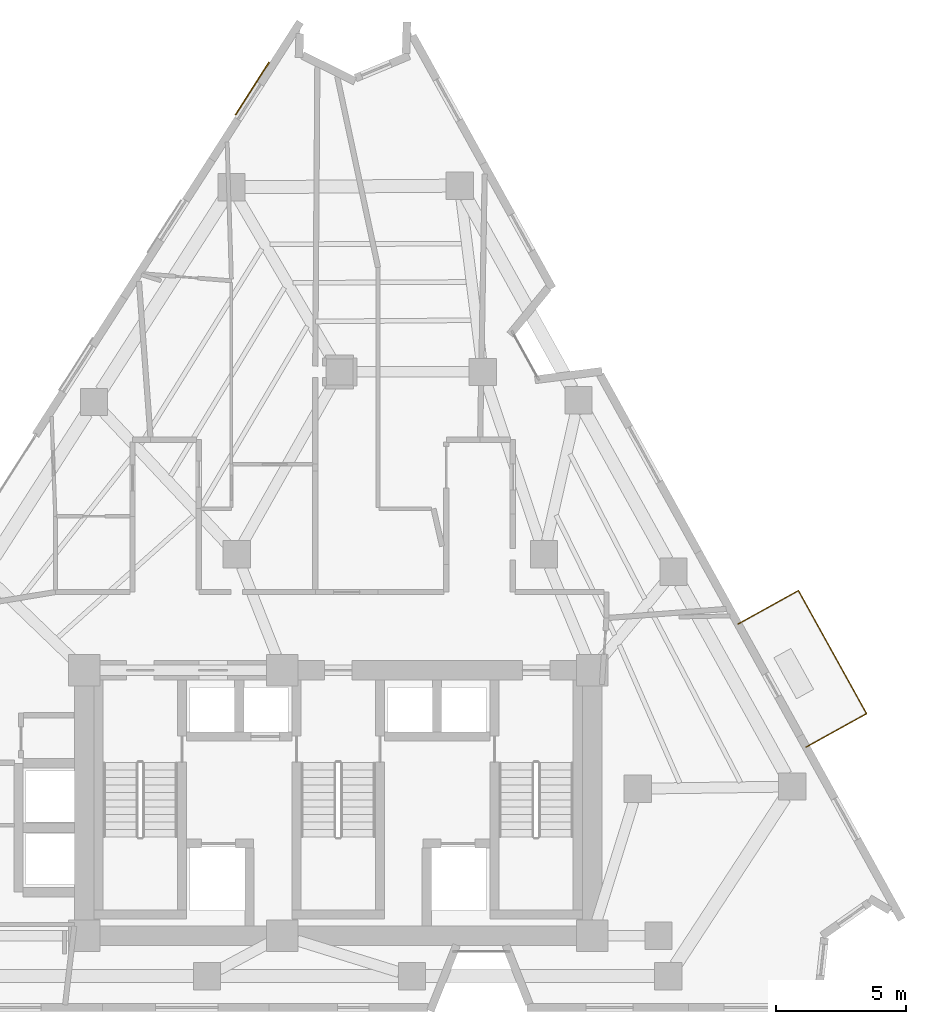
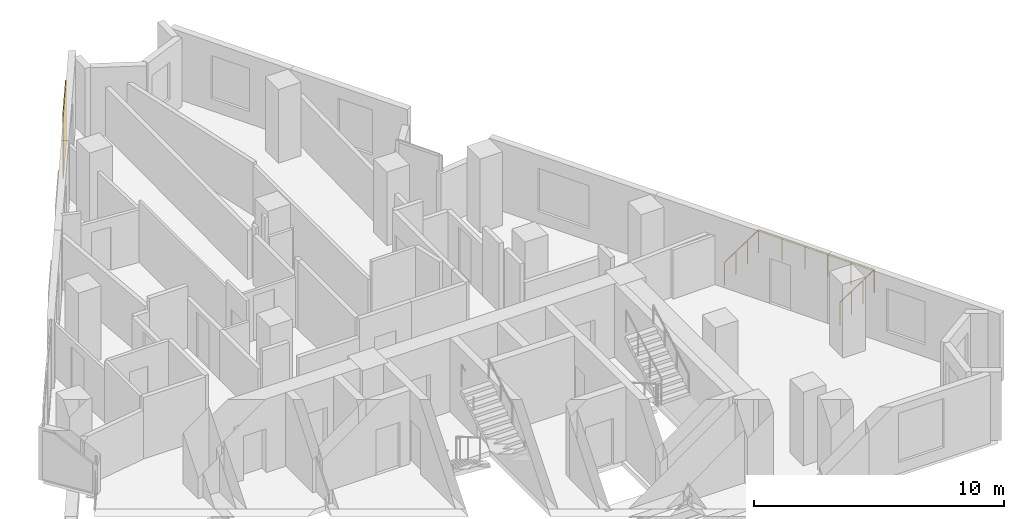
# One storey, part 11 of 11: 1 covering, 1 railing.
"""IFC4 building model written with IfcOpenShell, lengths in metres."""

import ifcopenshell
import ifcopenshell.guid

model = None  # the IFC model being written
_history = None  # IfcOwnerHistory: only IFC2X3 demands one
_inside = {}  # id of a spatial element -> (the spatial element, [elements in it])
_under = {}  # id of a project, library or spatial element -> (it, [spatial elements below it])
_declared = {}  # id of a project -> (the project, [libraries it declares])
_typed = {}  # id of a type object -> (the type object, [elements of that type])
_made_of = {}  # id of a material, layer set ... -> (it, [elements and type objects made of it])


def new_model(schema):
    """Start an empty IFC model of exactly this schema.

    Asked for "IFC4X3", IfcOpenShell would pick the latest addendum, in which some entities
    have other attributes; the version numbers below select the first issue.
    IFC2X3 requires an IfcOwnerHistory on every rooted entity: one is made here for all.
    """
    global model, _history
    if schema == "IFC4X3":
        model = ifcopenshell.file(schema_version=(4, 3, 0, 0))
    else:
        model = ifcopenshell.file(schema=schema)
    _inside.clear()
    _under.clear()
    _declared.clear()
    _typed.clear()
    _made_of.clear()
    _history = None
    if model.schema == "IFC2X3":
        org = make("IfcOrganization", Name="unknown")
        user = make(
            "IfcPersonAndOrganization",
            ThePerson=make("IfcPerson", FamilyName="unknown"),
            TheOrganization=org,
        )
        app = make(
            "IfcApplication",
            ApplicationDeveloper=org,
            Version="unknown",
            ApplicationFullName="unknown",
            ApplicationIdentifier="unknown",
        )
        _history = make(
            "IfcOwnerHistory",
            OwningUser=user,
            OwningApplication=app,
            ChangeAction="ADDED",
            CreationDate=0,
        )
    return model


def make(cls, **values):
    """One entity of the class cls with the attributes given. An attribute that is None is left unset."""
    return model.create_entity(
        cls, **{name: value for name, value in values.items() if value is not None}
    )


def rooted(cls, **values):
    """An entity with a GlobalId (a new one), such as an element, a storey or a relation."""
    return make(cls, GlobalId=ifcopenshell.guid.new(), OwnerHistory=_history, **values)


def si_unit(unit_type, name, prefix=None):
    """IfcSIUnit, for example si_unit("LENGTHUNIT", "METRE", prefix="MILLI")."""
    return make("IfcSIUnit", UnitType=unit_type, Prefix=prefix, Name=name)


def assignment(units):
    """IfcUnitAssignment: the units of a project."""
    return None if units is None else make("IfcUnitAssignment", Units=units)


def point(xyz):
    """IfcCartesianPoint."""
    return None if xyz is None else make("IfcCartesianPoint", Coordinates=xyz)


def direction(xyz):
    """IfcDirection."""
    return None if xyz is None else make("IfcDirection", DirectionRatios=xyz)


def frame(location, z_axis=None, x_axis=None):
    """IfcAxis2Placement3D, a coordinate frame: its origin and axes. An axis left out is left unset."""
    return make(
        "IfcAxis2Placement3D",
        Location=point(location),
        Axis=direction(z_axis),
        RefDirection=direction(x_axis),
    )


def frame_2d(location, x_axis=None):
    """IfcAxis2Placement2D, a coordinate frame in the plane: its origin and x axis."""
    return make(
        "IfcAxis2Placement2D", Location=point(location), RefDirection=direction(x_axis)
    )


def origin():
    """The frame at (0, 0, 0) with its axes left unset."""
    return frame((0.0, 0.0, 0.0))


def origin_2d():
    """The frame at (0, 0) in the plane with its x axis left unset."""
    return frame_2d((0.0, 0.0))


def place(relative_to, where):
    """IfcLocalPlacement: puts the frame where relative to a parent placement (None: the world)."""
    return make(
        "IfcLocalPlacement", PlacementRelTo=relative_to, RelativePlacement=where
    )


def context(
    kind, dimensions, precision=None, world=None, true_north=None, identifier=None
):
    """IfcGeometricRepresentationContext, for example the 3D "Model" context."""
    return make(
        "IfcGeometricRepresentationContext",
        ContextIdentifier=identifier,
        ContextType=kind,
        CoordinateSpaceDimension=dimensions,
        Precision=precision,
        WorldCoordinateSystem=world,
        TrueNorth=true_north,
    )


def subcontext(parent, identifier, kind, view, scale=None):
    """IfcGeometricRepresentationSubContext, for example "Body" below "Model"."""
    return make(
        "IfcGeometricRepresentationSubContext",
        ContextIdentifier=identifier,
        ContextType=kind,
        ParentContext=parent,
        TargetScale=scale,
        TargetView=view,
    )


def project(units=None, contexts=None):
    """IfcProject with its units and contexts."""
    return rooted(
        "IfcProject",
        Name="project",
        RepresentationContexts=contexts,
        UnitsInContext=assignment(units),
    )


def spatial(cls, under=None, at=None, **own):
    """A site, building, storey or space (cls), placed at a placement, below another one or the project."""
    s = rooted(cls, ObjectPlacement=at, **own)
    if under is not None:
        _under.setdefault(under.id(), (under, []))[1].append(s)
    return s


def profile(cls, at=None, kind="AREA", **sizes):
    """A parametric profile (cls). Its sizes go by their IFC names, for example OverallWidth=200.0."""
    return make(cls, ProfileType=kind, Position=at, **sizes)


def rectangle(**sizes):
    """IfcRectangleProfileDef."""
    return profile("IfcRectangleProfileDef", **sizes)


def circle(**sizes):
    """IfcCircleProfileDef."""
    return profile("IfcCircleProfileDef", **sizes)


def extrude(swept, where, along, depth):
    """IfcExtrudedAreaSolid: the profile swept, set in the frame where, extruded along a direction by depth."""
    return make(
        "IfcExtrudedAreaSolid",
        SweptArea=swept,
        Position=where,
        ExtrudedDirection=direction(along),
        Depth=depth,
    )


def shape(context_of_items, identifier, shape_type, items):
    """IfcShapeRepresentation: the items that make up one representation, for example the "Body"."""
    return make(
        "IfcShapeRepresentation",
        ContextOfItems=context_of_items,
        RepresentationIdentifier=identifier,
        RepresentationType=shape_type,
        Items=items,
    )


def material(Name=None, Category=None):
    """IfcMaterial."""
    return make("IfcMaterial", Name=Name, Category=Category)


def layer(
    of_material, thickness, ventilated=None, Name=None, Category=None, Priority=None
):
    """IfcMaterialLayer: one layer of a wall or slab, of a material (None: an air gap)."""
    return make(
        "IfcMaterialLayer",
        Material=of_material,
        LayerThickness=thickness,
        IsVentilated=ventilated,
        Name=Name,
        Category=Category,
        Priority=Priority,
    )


def layer_set(layers, Name=None):
    """IfcMaterialLayerSet."""
    return make("IfcMaterialLayerSet", MaterialLayers=layers, LayerSetName=Name)


def made_of(thing, what):
    """Note that an element or type object is made of a material, layer set ...; save() writes the relation."""
    if what is not None:
        _made_of.setdefault(what.id(), (what, []))[1].append(thing)
    return thing


def type_object(cls, material=None, **own):
    """A type object (cls), such as IfcWallType, which elements share."""
    return made_of(rooted(cls, **own), material)


def element(
    cls,
    number,
    at=None,
    inside=None,
    cuts=None,
    type_object=None,
    material=None,
    context=None,
    identifier="Body",
    shape_type=None,
    held_by="IfcProductDefinitionShape",
    body=None,
    shapes=None,
    **own,
):
    """One element of the class cls, such as IfcWall. Its Tag is "e" and its number.

    at: its placement. inside: the storey or other place that contains it. cuts: it is an
    opening in that element (IfcRelVoidsElement). A single representation is given by context,
    identifier, shape_type and body (its items); several are given by shapes. held_by: the class
    of the entity that holds the representations. save() writes the other relations.
    """
    e = rooted(cls, Tag="e%d" % number, ObjectPlacement=at, **own)
    if body is not None:
        shapes = [shape(context, identifier, shape_type, body)]
    if shapes is not None:
        e.Representation = make(held_by, Representations=shapes)
    if inside is not None:
        _inside.setdefault(inside.id(), (inside, []))[1].append(e)
    if cuts is not None:
        rooted(
            "IfcRelVoidsElement", RelatingBuildingElement=cuts, RelatedOpeningElement=e
        )
    if type_object is not None:
        _typed.setdefault(type_object.id(), (type_object, []))[1].append(e)
    return made_of(e, material)


def aggregate(whole, parts):
    """IfcRelAggregates: a whole, such as a stair, and the parts it consists of."""
    return rooted("IfcRelAggregates", RelatingObject=whole, RelatedObjects=parts)


def save(model, path):
    """Write the relations noted so far, then the file.

    IfcRelAggregates (storeys below a building ...), IfcRelContainedInSpatialStructure (elements
    in a storey), IfcRelDefinesByType, IfcRelAssociatesMaterial and IfcRelDeclares: one each for
    every whole, place, type object, material and project.
    """
    for whole, parts in _under.values():
        aggregate(whole, parts)
    for where, things in _inside.values():
        rooted(
            "IfcRelContainedInSpatialStructure",
            RelatedElements=things,
            RelatingStructure=where,
        )
    for kind, things in _typed.values():
        rooted("IfcRelDefinesByType", RelatedObjects=things, RelatingType=kind)
    for what, things in _made_of.values():
        rooted("IfcRelAssociatesMaterial", RelatedObjects=things, RelatingMaterial=what)
    for by, libraries in _declared.values():
        rooted("IfcRelDeclares", RelatingContext=by, RelatedDefinitions=libraries)
    model.write(path)


model = new_model("IFC4")

# Units and contexts
model_context = context("Model", 3, precision=1e-05, world=origin(), true_north=direction((0.0, 1.0)))
body_context = subcontext(model_context, "Body", "Model", "MODEL_VIEW")
ifc_project = project(units=[si_unit("LENGTHUNIT", "METRE"), si_unit("AREAUNIT", "SQUARE_METRE"), si_unit("VOLUMEUNIT", "CUBIC_METRE"), si_unit("PLANEANGLEUNIT", "RADIAN"), si_unit("MASSUNIT", "GRAM", prefix="KILO")], contexts=[model_context])

# Site, building, storey
site_placement = place(None, origin())
site = spatial("IfcSite", under=ifc_project, at=site_placement, CompositionType="ELEMENT")
building_placement = place(site_placement, origin())
building = spatial("IfcBuilding", under=site, at=building_placement, Name="Almagre Mirador Tower", CompositionType="ELEMENT")
storey_placement = place(building_placement, frame((0.0, 0.0, 157.199951171875)))
storey = spatial("IfcBuildingStorey", under=building, at=storey_placement, Name="L40", CompositionType="ELEMENT", Elevation=157.199951171875)

# Covering
ifc_material_1 = material(Name="Almagre terracotta architectural cladding", Category="masonry")
ifc_layer = layer(ifc_material_1, 0.044921875)
ifc_layer_set = layer_set([ifc_layer], Name="Almagre terracotta architectural cladding")
covering_type = type_object("IfcCoveringType", Name="COV-CLAD-ALMAGRE", PredefinedType="CLADDING", material=ifc_layer_set)
covering_placement = place(storey_placement, frame((34.0029296875, 37.081787109375, 0.10009765625), z_axis=(0.0, 0.0, 1.0), x_axis=(0.539505758171, 0.841981910079, 0.0)))
element("IfcCovering", 1, at=covering_placement, inside=storey, type_object=covering_type, Name="L40 almagre terracotta pier cladding", PredefinedType="CLADDING", context=body_context, shape_type="SweptSolid", body=[
    extrude(rectangle(XDim=2.39990234375, YDim=0.044921875, at=origin_2d()), origin(), (0.0, 0.0, 1.0), 3.14990234375),
])

# Railing
ifc_material_2 = material(Name="Black anodized aluminium", Category="aluminium")
railing_type = type_object("IfcRailingType", Name="RLG-BAL-1150", PredefinedType="BALUSTRADE", material=ifc_material_2)
railing_placement = place(storey_placement, frame((55.26708984375, 11.798095703125, 0.0)))
element("IfcRailing", 2, at=railing_placement, inside=storey, type_object=railing_type, Name="L40 east balcony balustrade 1", PredefinedType="BALUSTRADE", context=body_context, shape_type="SweptSolid", body=[
    extrude(circle(Radius=0.02392578125, at=origin_2d()), frame((0.0, 0.0, 1.1259765625), z_axis=(0.875003321676, 0.484116914656, 0.0), x_axis=(-0.484116914656, 0.875003321676, 0.0)), (0.0, 0.0, 1.0), 2.650146484375),
    extrude(circle(Radius=0.02392578125, at=origin_2d()), frame((2.31884765625, 1.282958984375, 1.1259765625), z_axis=(-0.484237401954, 0.874936648306, 0.0), x_axis=(-0.874936648306, -0.484237401954, 0.0)), (0.0, 0.0, 1.0), 5.400146484375),
    extrude(circle(Radius=0.02392578125, at=origin_2d()), frame((-0.296142578125, 6.0078125, 1.1259765625), z_axis=(-0.874760713898, -0.48455515003, 0.0), x_axis=(0.48455515003, -0.874760713898, 0.0)), (0.0, 0.0, 1.0), 2.649658203125),
    extrude(circle(Radius=0.02099609375, at=origin_2d()), origin(), (0.0, 0.0, 1.0), 1.101806640625),
    extrude(circle(Radius=0.02099609375, at=origin_2d()), frame((0.77294921875, 0.427734375, 0.0)), (0.0, 0.0, 1.0), 1.101806640625),
    extrude(circle(Radius=0.02099609375, at=origin_2d()), frame((1.5458984375, 0.855224609375, 0.0)), (0.0, 0.0, 1.0), 1.101806640625),
    extrude(circle(Radius=0.02099609375, at=origin_2d()), frame((2.31884765625, 1.282958984375, 0.0)), (0.0, 0.0, 1.0), 1.101806640625),
    extrude(circle(Radius=0.02099609375, at=origin_2d()), frame((1.7958984375, 2.22802734375, 0.0)), (0.0, 0.0, 1.0), 1.101806640625),
    extrude(circle(Radius=0.02099609375, at=origin_2d()), frame((1.27294921875, 3.1728515625, 0.0)), (0.0, 0.0, 1.0), 1.101806640625),
    extrude(circle(Radius=0.02099609375, at=origin_2d()), frame((0.749755859375, 4.117919921875, 0.0)), (0.0, 0.0, 1.0), 1.101806640625),
    extrude(circle(Radius=0.02099609375, at=origin_2d()), frame((0.226806640625, 5.062744140625, 0.0)), (0.0, 0.0, 1.0), 1.101806640625),
    extrude(circle(Radius=0.02099609375, at=origin_2d()), frame((-0.296142578125, 6.0078125, 0.0)), (0.0, 0.0, 1.0), 1.101806640625),
    extrude(circle(Radius=0.02099609375, at=origin_2d()), frame((-1.06884765625, 5.579833984375, 0.0)), (0.0, 0.0, 1.0), 1.101806640625),
    extrude(circle(Radius=0.02099609375, at=origin_2d()), frame((-1.84130859375, 5.15185546875, 0.0)), (0.0, 0.0, 1.0), 1.101806640625),
    extrude(circle(Radius=0.02099609375, at=origin_2d()), frame((-2.614013671875, 4.723876953125, 0.0)), (0.0, 0.0, 1.0), 1.101806640625),
])

save(model, "model.ifc")
